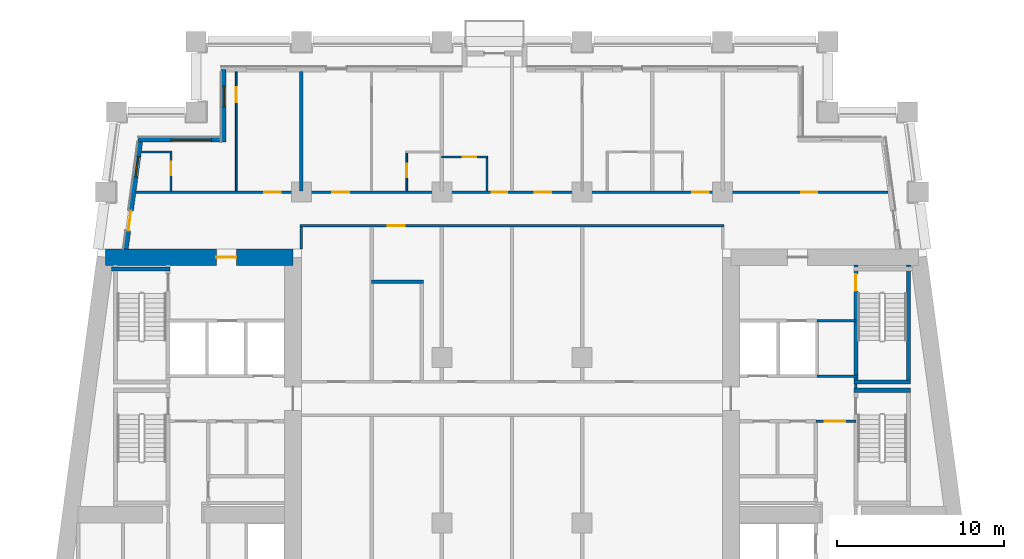
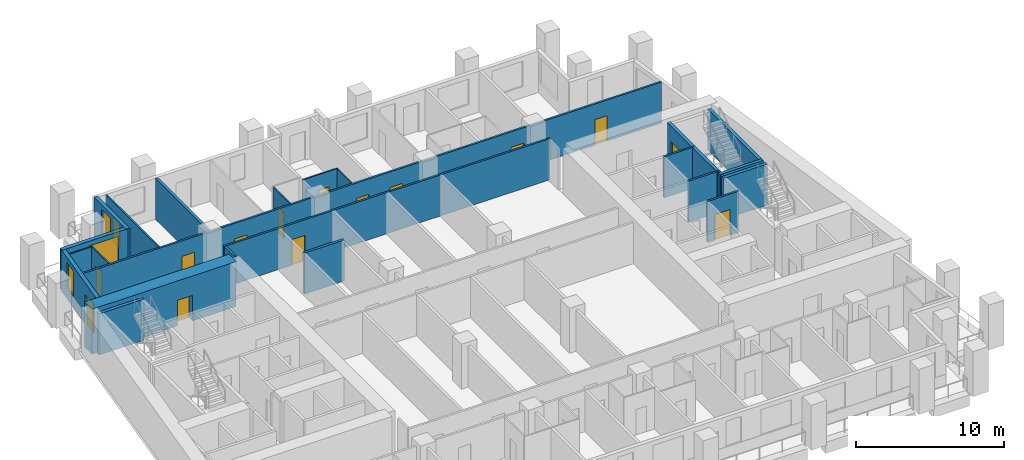
# One storey, part 6 of 13: 24 walls, 15 doors, 3 windows, 18 openings.
"""IFC4 building model written with IfcOpenShell, lengths in metres."""

from ifc_helpers import new_model, si_unit, direction, frame, frame_2d, origin, place, context, subcontext, project, spatial, rectangle, extrude, material, layer, layer_set, type_object, element, fill, save


model = new_model("IFC4")

# Units and contexts
model_context = context("Model", 3, precision=1e-05, world=origin(), true_north=direction((0.0, 1.0)))
body_context = subcontext(model_context, "Body", "Model", "MODEL_VIEW")
ifc_project = project(units=[si_unit("LENGTHUNIT", "METRE"), si_unit("AREAUNIT", "SQUARE_METRE"), si_unit("VOLUMEUNIT", "CUBIC_METRE"), si_unit("PLANEANGLEUNIT", "RADIAN"), si_unit("MASSUNIT", "GRAM", prefix="KILO")], contexts=[model_context])

# Site, building, storey
site_placement = place(None, origin())
site = spatial("IfcSite", under=ifc_project, at=site_placement, CompositionType="ELEMENT")
building_placement = place(site_placement, origin())
building = spatial("IfcBuilding", under=site, at=building_placement, Name="Candeia Pilgrim Tower and Theatre", CompositionType="ELEMENT")
storey_placement = place(building_placement, frame((0.0, 0.0, 91.0)))
storey = spatial("IfcBuildingStorey", under=building, at=storey_placement, Name="L20", CompositionType="ELEMENT", Elevation=91.0)

# Wall, opening, door
ifc_material_1 = material(Name="Concrete C70/85", Category="concrete")
ifc_layer_1 = layer(ifc_material_1, 1.0)
ifc_layer_set_1 = layer_set([ifc_layer_1], Name="Core wall 1000 C70/85")
wall_type_1 = type_object("IfcWallType", Name="Core wall 1000 C70/85", PredefinedType="SHEAR", material=ifc_layer_set_1)
wall_1_placement = place(storey_placement, frame((89.06787109375, 131.89990234375, 0.0), z_axis=(0.0, 0.0, 1.0), x_axis=(1.0, 0.0, 0.0)))
wall_1 = element("IfcWall", 1, at=wall_1_placement, inside=storey, type_object=wall_type_1, Name="Core wall W1", PredefinedType="SHEAR", context=body_context, shape_type="SweptSolid", body=[
    extrude(rectangle(XDim=11.232177734375, YDim=1.0, at=frame_2d((5.6162109375, 0.0))), origin(), (0.0, 0.0, 1.0), 3.699951171875),
])
opening_1_placement = place(wall_1_placement, frame((6.6455078125, 0.0, 0.0)))
opening_1 = element("IfcOpeningElement", 2, at=opening_1_placement, cuts=wall_1, Name="Opening L20-D060", PredefinedType="OPENING", context=body_context, shape_type="SweptSolid", body=[
    extrude(rectangle(XDim=1.199951171875, YDim=2.10009765625, at=frame_2d((0.60009765625, 1.050048828125))), frame((0.0, 0.510009765625, 0.0), z_axis=(0.0, -1.0, 0.0), x_axis=(1.0, 0.0, 0.0)), (0.0, 0.0, 1.0), 1.02001953125),
])
ifc_material_2 = material(Name="Steel fire door set", Category="steel")
door_type_1 = type_object("IfcDoorType", Name="D-1200-FD60", OperationType="NOTDEFINED", PredefinedType="DOOR", material=ifc_material_2)
door_1_placement = place(opening_1_placement, origin())
door_1 = element("IfcDoor", 3, at=door_1_placement, inside=storey, type_object=door_type_1, Name="Door L20-D060", OperationType="SINGLE_SWING_RIGHT", OverallHeight=2.10009765625, OverallWidth=1.199951171875, PredefinedType="DOOR", context=body_context, shape_type="SweptSolid", body=[
    extrude(rectangle(XDim=1.199951171875, YDim=2.10009765625, at=frame_2d((0.60009765625, 1.050048828125))), frame((0.0, 0.02490234375, 0.0), z_axis=(0.0, -1.0, 0.0), x_axis=(1.0, 0.0, 0.0)), (0.0, 0.0, 1.0), 0.050048828125),
])
fill(opening_1, door_1)

# Wall, opening, window
ifc_material_3 = material(Name="Ceramic block masonry", Category="masonry")
ifc_layer_2 = layer(ifc_material_3, 0.300048828125)
ifc_layer_set_2 = layer_set([ifc_layer_2], Name="EW1 glazing-line wall 300")
wall_type_2 = type_object("IfcWallType", Name="EW1 glazing-line wall 300", PredefinedType="SOLIDWALL", material=ifc_layer_set_2)
wall_2_placement = place(storey_placement, frame((96.14990234375, 143.14990234375, 0.0), z_axis=(0.0, 0.0, 1.0), x_axis=(0.0, -1.0, 0.0)))
wall_2 = element("IfcWall", 4, at=wall_2_placement, inside=storey, type_object=wall_type_2, Name="External wall L20-7.0", PredefinedType="SOLIDWALL", context=body_context, shape_type="SweptSolid", body=[
    extrude(rectangle(XDim=4.349853515625, YDim=0.300048828125, at=frame_2d((2.1748046875, 0.0))), origin(), (0.0, 0.0, 1.0), 3.3798828125),
])
opening_2_placement = place(wall_2_placement, frame((1.02490234375, 0.0, 0.89990234375)))
opening_2 = element("IfcOpeningElement", 5, at=opening_2_placement, cuts=wall_2, Name="Opening W-B", PredefinedType="OPENING", context=body_context, shape_type="SweptSolid", body=[
    extrude(rectangle(XDim=1.199951171875, YDim=2.10009765625, at=frame_2d((0.60009765625, 1.050048828125))), frame((0.0, 0.16015625, 0.0), z_axis=(0.0, -1.0, 0.0), x_axis=(1.0, 0.0, 0.0)), (0.0, 0.0, 1.0), 0.320068359375),
])
ifc_material_4 = material(Name="Aluminium framed double glazing", Category="aluminium")
window_type_1 = type_object("IfcWindowType", Name="W-B window 1200x2100", PartitioningType="SINGLE_PANEL", PredefinedType="WINDOW", material=ifc_material_4)
window_1_placement = place(opening_2_placement, origin())
window_1 = element("IfcWindow", 6, at=window_1_placement, inside=storey, type_object=window_type_1, Name="Window W-B L20", OverallHeight=2.10009765625, OverallWidth=1.199951171875, PartitioningType="SINGLE_PANEL", PredefinedType="WINDOW", context=body_context, shape_type="SweptSolid", body=[
    extrude(rectangle(XDim=1.199951171875, YDim=2.10009765625, at=frame_2d((0.60009765625, 1.050048828125))), frame((0.0, 0.030029296875, 0.0), z_axis=(0.0, -1.0, 0.0), x_axis=(1.0, 0.0, 0.0)), (0.0, 0.0, 1.0), 0.06005859375),
])
fill(opening_2, window_1)

wall_3_placement = place(storey_placement, frame((96.14990234375, 138.949951171875, 0.0), z_axis=(0.0, 0.0, 1.0), x_axis=(-1.0, 0.0, 0.0)))
wall_3 = element("IfcWall", 7, at=wall_3_placement, inside=storey, type_object=wall_type_2, Name="External wall L20-8.0", PredefinedType="SOLIDWALL", context=body_context, shape_type="SweptSolid", body=[
    extrude(rectangle(XDim=5.103759765625, YDim=0.300048828125, at=frame_2d((2.5517578125, 0.0))), origin(), (0.0, 0.0, 1.0), 3.3798828125),
])
opening_3_placement = place(wall_3_placement, frame((0.72509765625, 0.0, 0.89990234375)))
opening_3 = element("IfcOpeningElement", 8, at=opening_3_placement, cuts=wall_3, Name="Opening W-A", PredefinedType="OPENING", context=body_context, shape_type="SweptSolid", body=[
    extrude(rectangle(XDim=2.39990234375, YDim=2.10009765625, at=frame_2d((1.199951171875, 1.050048828125))), frame((0.0, 0.16015625, 0.0), z_axis=(0.0, -1.0, 0.0), x_axis=(1.0, 0.0, 0.0)), (0.0, 0.0, 1.0), 0.320068359375),
])
window_type_2 = type_object("IfcWindowType", Name="W-A window 2400x2100", PartitioningType="DOUBLE_PANEL_VERTICAL", PredefinedType="WINDOW", material=ifc_material_4)
window_2_placement = place(opening_3_placement, origin())
window_2 = element("IfcWindow", 9, at=window_2_placement, inside=storey, type_object=window_type_2, Name="Window W-A L20", OverallHeight=2.10009765625, OverallWidth=2.39990234375, PartitioningType="SINGLE_PANEL", PredefinedType="WINDOW", context=body_context, shape_type="SweptSolid", body=[
    extrude(rectangle(XDim=2.39990234375, YDim=2.10009765625, at=frame_2d((1.199951171875, 1.050048828125))), frame((0.0, 0.030029296875, 0.0), z_axis=(0.0, -1.0, 0.0), x_axis=(1.0, 0.0, 0.0)), (0.0, 0.0, 1.0), 0.06005859375),
])
fill(opening_3, window_2)

# Wall, openings, door, window
wall_4_placement = place(storey_placement, frame((91.177490234375, 138.949951171875, 0.0), z_axis=(0.0, 0.0, 1.0), x_axis=(-0.133426664613, -0.991058689065, 0.0)))
wall_4 = element("IfcWall", 10, at=wall_4_placement, inside=storey, type_object=wall_type_2, Name="External wall L20-9.0", PredefinedType="SOLIDWALL", context=body_context, shape_type="SweptSolid", body=[
    extrude(rectangle(XDim=6.609130859375, YDim=0.300048828125, at=frame_2d((3.3046875, 0.0))), origin(), (0.0, 0.0, 1.0), 3.3798828125),
])
opening_4_placement = place(wall_4_placement, frame((1.039306640625, 0.0, 0.89990234375)))
opening_4 = element("IfcOpeningElement", 11, at=opening_4_placement, cuts=wall_4, Name="Opening W-B", PredefinedType="OPENING", context=body_context, shape_type="SweptSolid", body=[
    extrude(rectangle(XDim=1.199951171875, YDim=2.10009765625, at=frame_2d((0.60009765625, 1.050048828125))), frame((0.0, 0.16015625, 0.0), z_axis=(0.0, -1.0, 0.0), x_axis=(1.0, 0.0, 0.0)), (0.0, 0.0, 1.0), 0.320068359375),
])
opening_5_placement = place(wall_4_placement, frame((4.293701171875, 0.0, 0.0)))
opening_5 = element("IfcOpeningElement", 12, at=opening_5_placement, cuts=wall_4, Name="Opening L20-ED212", PredefinedType="OPENING", context=body_context, shape_type="SweptSolid", body=[
    extrude(rectangle(XDim=1.199951171875, YDim=2.39990234375, at=frame_2d((0.60009765625, 1.199951171875))), frame((0.0, 0.16015625, 0.0), z_axis=(0.0, -1.0, 0.0), x_axis=(1.0, 0.0, 0.0)), (0.0, 0.0, 1.0), 0.320068359375),
])
ifc_material_5 = material(Name="Aluminium framed glazed door", Category="aluminium")
door_type_2 = type_object("IfcDoorType", Name="Loggia door 1200x2400", OperationType="DOUBLE_DOOR_SINGLE_SWING", PredefinedType="DOOR", material=ifc_material_5)
door_2_placement = place(opening_5_placement, origin())
door_2 = element("IfcDoor", 13, at=door_2_placement, inside=storey, type_object=door_type_2, Name="Loggia door L20-ED212", OperationType="DOUBLE_DOOR_SINGLE_SWING", OverallHeight=2.39990234375, OverallWidth=1.199951171875, PredefinedType="DOOR", context=body_context, shape_type="SweptSolid", body=[
    extrude(rectangle(XDim=1.199951171875, YDim=2.39990234375, at=frame_2d((0.60009765625, 1.199951171875))), frame((0.0, 0.02490234375, 0.0), z_axis=(0.0, -1.0, 0.0), x_axis=(1.0, 0.0, 0.0)), (0.0, 0.0, 1.0), 0.050048828125),
])
fill(opening_5, door_2)
window_3_placement = place(opening_4_placement, origin())
window_3 = element("IfcWindow", 14, at=window_3_placement, inside=storey, type_object=window_type_1, Name="Window W-B L20", OverallHeight=2.10009765625, OverallWidth=1.199951171875, PartitioningType="SINGLE_PANEL", PredefinedType="WINDOW", context=body_context, shape_type="SweptSolid", body=[
    extrude(rectangle(XDim=1.199951171875, YDim=2.10009765625, at=frame_2d((0.60009765625, 1.050048828125))), frame((0.0, 0.030029296875, 0.0), z_axis=(0.0, -1.0, 0.0), x_axis=(1.0, 0.0, 0.0)), (0.0, 0.0, 1.0), 0.06005859375),
])
fill(opening_4, window_3)

# Wall, opening, door
ifc_material_6 = material(Name="Gypsum board partition on steel studs", Category="steel")
ifc_layer_3 = layer(ifc_material_6, 0.10009765625)
ifc_layer_set_3 = layer_set([ifc_layer_3], Name="PW-100 room partition")
wall_type_3 = type_object("IfcWallType", Name="PW-100 room partition", PredefinedType="PARTITIONING", material=ifc_layer_set_3)
wall_5_placement = place(storey_placement, frame((109.199951171875, 137.89990234375, 0.0), z_axis=(0.0, 0.0, 1.0), x_axis=(1.0, 0.0, 0.0)))
wall_5 = element("IfcWall", 15, at=wall_5_placement, inside=storey, type_object=wall_type_3, Name="Room partition L20-045", PredefinedType="PARTITIONING", context=body_context, shape_type="SweptSolid", body=[
    extrude(rectangle(XDim=2.75, YDim=0.10009765625, at=frame_2d((1.375, 0.0))), origin(), (0.0, 0.0, 1.0), 3.3798828125),
])
opening_6_placement = place(wall_5_placement, frame((1.25, 0.0, 0.0)))
opening_6 = element("IfcOpeningElement", 16, at=opening_6_placement, cuts=wall_5, Name="Opening L20-D041", PredefinedType="OPENING", context=body_context, shape_type="SweptSolid", body=[
    extrude(rectangle(XDim=0.800048828125, YDim=2.10009765625, at=frame_2d((0.39990234375, 1.050048828125))), frame((0.0, 0.06005859375, 0.0), z_axis=(0.0, -1.0, 0.0), x_axis=(1.0, 0.0, 0.0)), (0.0, 0.0, 1.0), 0.1201171875),
])
ifc_material_7 = material(Name="Timber door leaf", Category="wood")
door_type_3 = type_object("IfcDoorType", Name="D-800", OperationType="NOTDEFINED", PredefinedType="DOOR", material=ifc_material_7)
door_3_placement = place(opening_6_placement, origin())
door_3 = element("IfcDoor", 17, at=door_3_placement, inside=storey, type_object=door_type_3, Name="Door L20-D041", OperationType="SINGLE_SWING_LEFT", OverallHeight=2.10009765625, OverallWidth=0.800048828125, PredefinedType="DOOR", context=body_context, shape_type="SweptSolid", body=[
    extrude(rectangle(XDim=0.800048828125, YDim=2.10009765625, at=frame_2d((0.39990234375, 1.050048828125))), frame((0.0, 0.02490234375, 0.0), z_axis=(0.0, -1.0, 0.0), x_axis=(1.0, 0.0, 0.0)), (0.0, 0.0, 1.0), 0.050048828125),
])
fill(opening_6, door_3)

# Wall
wall_6_placement = place(storey_placement, frame((91.2177734375, 138.199951171875, 0.0), z_axis=(0.0, 0.0, 1.0), x_axis=(1.0, 0.0, 0.0)))
element("IfcWall", 18, at=wall_6_placement, inside=storey, type_object=wall_type_3, Name="Room partition L20-046", PredefinedType="PARTITIONING", context=body_context, shape_type="SweptSolid", body=[
    extrude(rectangle(XDim=1.832275390625, YDim=0.10009765625, at=frame_2d((0.916015625, 0.0))), origin(), (0.0, 0.0, 1.0), 3.3798828125),
])

# Wall, opening, door
wall_7_placement = place(storey_placement, frame((93.0, 135.875, 0.0), z_axis=(0.0, 0.0, 1.0), x_axis=(0.0, 1.0, 0.0)))
wall_7 = element("IfcWall", 19, at=wall_7_placement, inside=storey, type_object=wall_type_3, Name="Room partition L20-061", PredefinedType="PARTITIONING", context=body_context, shape_type="SweptSolid", body=[
    extrude(rectangle(XDim=2.27490234375, YDim=0.10009765625, at=frame_2d((1.137451171875, 0.0))), origin(), (0.0, 0.0, 1.0), 3.3798828125),
])
opening_7_placement = place(wall_7_placement, frame((0.949951171875, 0.0, 0.0)))
opening_7 = element("IfcOpeningElement", 20, at=opening_7_placement, cuts=wall_7, Name="Opening L20-D036", PredefinedType="OPENING", context=body_context, shape_type="SweptSolid", body=[
    extrude(rectangle(XDim=0.800048828125, YDim=2.10009765625, at=frame_2d((0.39990234375, 1.050048828125))), frame((0.0, 0.06005859375, 0.0), z_axis=(0.0, -1.0, 0.0), x_axis=(1.0, 0.0, 0.0)), (0.0, 0.0, 1.0), 0.1201171875),
])
door_4_placement = place(opening_7_placement, origin())
door_4 = element("IfcDoor", 21, at=door_4_placement, inside=storey, type_object=door_type_3, Name="Door L20-D036", OperationType="SINGLE_SWING_RIGHT", OverallHeight=2.10009765625, OverallWidth=0.800048828125, PredefinedType="DOOR", context=body_context, shape_type="SweptSolid", body=[
    extrude(rectangle(XDim=0.800048828125, YDim=2.10009765625, at=frame_2d((0.39990234375, 1.050048828125))), frame((0.0, 0.02490234375, 0.0), z_axis=(0.0, -1.0, 0.0), x_axis=(1.0, 0.0, 0.0)), (0.0, 0.0, 1.0), 0.050048828125),
])
fill(opening_7, door_4)

wall_8_placement = place(storey_placement, frame((96.89990234375, 135.875, 0.0), z_axis=(0.0, 0.0, 1.0), x_axis=(0.0, 1.0, 0.0)))
wall_8 = element("IfcWall", 22, at=wall_8_placement, inside=storey, type_object=wall_type_3, Name="Room partition L20-067", PredefinedType="PARTITIONING", context=body_context, shape_type="SweptSolid", body=[
    extrude(rectangle(XDim=7.135009765625, YDim=0.10009765625, at=frame_2d((3.5673828125, 0.0))), origin(), (0.0, 0.0, 1.0), 3.3798828125),
])
opening_8_placement = place(wall_8_placement, frame((5.2900390625, 0.0, 0.0)))
opening_8 = element("IfcOpeningElement", 23, at=opening_8_placement, cuts=wall_8, Name="Opening L20-D035", PredefinedType="OPENING", context=body_context, shape_type="SweptSolid", body=[
    extrude(rectangle(XDim=0.89990234375, YDim=2.10009765625, at=frame_2d((0.449951171875, 1.050048828125))), frame((0.0, 0.06005859375, 0.0), z_axis=(0.0, -1.0, 0.0), x_axis=(1.0, 0.0, 0.0)), (0.0, 0.0, 1.0), 0.1201171875),
])
door_type_4 = type_object("IfcDoorType", Name="D-900", OperationType="NOTDEFINED", PredefinedType="DOOR", material=ifc_material_7)
door_5_placement = place(opening_8_placement, origin())
door_5 = element("IfcDoor", 24, at=door_5_placement, inside=storey, type_object=door_type_4, Name="Door L20-D035", OperationType="SINGLE_SWING_LEFT", OverallHeight=2.10009765625, OverallWidth=0.89990234375, PredefinedType="DOOR", context=body_context, shape_type="SweptSolid", body=[
    extrude(rectangle(XDim=0.89990234375, YDim=2.10009765625, at=frame_2d((0.449951171875, 1.050048828125))), frame((0.0, 0.02490234375, 0.0), z_axis=(0.0, -1.0, 0.0), x_axis=(1.0, 0.0, 0.0)), (0.0, 0.0, 1.0), 0.050048828125),
])
fill(opening_8, door_5)

wall_9_placement = place(storey_placement, frame((107.10009765625, 135.875, 0.0), z_axis=(0.0, 0.0, 1.0), x_axis=(0.0, 1.0, 0.0)))
wall_9 = element("IfcWall", 25, at=wall_9_placement, inside=storey, type_object=wall_type_3, Name="Room partition L20-080", PredefinedType="PARTITIONING", context=body_context, shape_type="SweptSolid", body=[
    extrude(rectangle(XDim=2.27490234375, YDim=0.10009765625, at=frame_2d((1.137451171875, 0.0))), origin(), (0.0, 0.0, 1.0), 3.3798828125),
])
opening_9_placement = place(wall_9_placement, frame((0.81494140625, 0.0, 0.0)))
opening_9 = element("IfcOpeningElement", 26, at=opening_9_placement, cuts=wall_9, Name="Opening L20-D039", PredefinedType="OPENING", context=body_context, shape_type="SweptSolid", body=[
    extrude(rectangle(XDim=0.800048828125, YDim=2.10009765625, at=frame_2d((0.39990234375, 1.050048828125))), frame((0.0, 0.06005859375, 0.0), z_axis=(0.0, -1.0, 0.0), x_axis=(1.0, 0.0, 0.0)), (0.0, 0.0, 1.0), 0.1201171875),
])
door_6_placement = place(opening_9_placement, origin())
door_6 = element("IfcDoor", 27, at=door_6_placement, inside=storey, type_object=door_type_3, Name="Door L20-D039", OperationType="SINGLE_SWING_LEFT", OverallHeight=2.10009765625, OverallWidth=0.800048828125, PredefinedType="DOOR", context=body_context, shape_type="SweptSolid", body=[
    extrude(rectangle(XDim=0.800048828125, YDim=2.10009765625, at=frame_2d((0.39990234375, 1.050048828125))), frame((0.0, 0.02490234375, 0.0), z_axis=(0.0, -1.0, 0.0), x_axis=(1.0, 0.0, 0.0)), (0.0, 0.0, 1.0), 0.050048828125),
])
fill(opening_9, door_6)

# Wall
wall_10_placement = place(storey_placement, frame((111.89990234375, 135.875, 0.0), z_axis=(0.0, 0.0, 1.0), x_axis=(0.0, 1.0, 0.0)))
element("IfcWall", 28, at=wall_10_placement, inside=storey, type_object=wall_type_3, Name="Room partition L20-087", PredefinedType="PARTITIONING", context=body_context, shape_type="SweptSolid", body=[
    extrude(rectangle(XDim=1.97509765625, YDim=0.10009765625, at=frame_2d((0.987548828125, 0.0))), origin(), (0.0, 0.0, 1.0), 3.3798828125),
])

# Wall, opening, door
ifc_layer_4 = layer(ifc_material_6, 0.14990234375)
ifc_layer_set_4 = layer_set([ifc_layer_4], Name="PW-150 lobby wall")
wall_type_4 = type_object("IfcWallType", Name="PW-150 lobby wall", PredefinedType="PARTITIONING", material=ifc_layer_set_4)
wall_11_placement = place(storey_placement, frame((131.572998046875, 122.10009765625, 0.0), z_axis=(0.0, 0.0, 1.0), x_axis=(1.0, 0.0, 0.0)))
wall_11 = element("IfcWall", 29, at=wall_11_placement, inside=storey, type_object=wall_type_4, Name="Lobby wall L20-027", PredefinedType="PARTITIONING", context=body_context, shape_type="SweptSolid", body=[
    extrude(rectangle(XDim=2.39990234375, YDim=0.14990234375, at=frame_2d((1.199951171875, 0.0))), origin(), (0.0, 0.0, 1.0), 3.3798828125),
])
opening_10_placement = place(wall_11_placement, frame((0.550048828125, 0.0, 0.0)))
opening_10 = element("IfcOpeningElement", 30, at=opening_10_placement, cuts=wall_11, Name="Opening L20-D007", PredefinedType="OPENING", context=body_context, shape_type="SweptSolid", body=[
    extrude(rectangle(XDim=1.199951171875, YDim=2.10009765625, at=frame_2d((0.60009765625, 1.050048828125))), frame((0.0, 0.0849609375, 0.0), z_axis=(0.0, -1.0, 0.0), x_axis=(1.0, 0.0, 0.0)), (0.0, 0.0, 1.0), 0.169921875),
])
door_7_placement = place(opening_10_placement, origin())
door_7 = element("IfcDoor", 31, at=door_7_placement, inside=storey, type_object=door_type_1, Name="Door L20-D007", OperationType="SINGLE_SWING_RIGHT", OverallHeight=2.10009765625, OverallWidth=1.199951171875, PredefinedType="DOOR", context=body_context, shape_type="SweptSolid", body=[
    extrude(rectangle(XDim=1.199951171875, YDim=2.10009765625, at=frame_2d((0.60009765625, 1.050048828125))), frame((0.0, 0.02490234375, 0.0), z_axis=(0.0, -1.0, 0.0), x_axis=(1.0, 0.0, 0.0)), (0.0, 0.0, 1.0), 0.050048828125),
])
fill(opening_10, door_7)

# Walls
wall_12_placement = place(storey_placement, frame((131.648681640625, 124.800048828125, 0.0), z_axis=(0.0, 0.0, 1.0), x_axis=(1.0, 0.0, 0.0)))
element("IfcWall", 32, at=wall_12_placement, inside=storey, type_object=wall_type_4, Name="Lobby wall L20-036", PredefinedType="PARTITIONING", context=body_context, shape_type="SweptSolid", body=[
    extrude(rectangle(XDim=2.44921875, YDim=0.14990234375, at=frame_2d((1.224609375, 0.0))), origin(), (0.0, 0.0, 1.0), 3.3798828125),
])
wall_13_placement = place(storey_placement, frame((131.648681640625, 128.10009765625, 0.0), z_axis=(0.0, 0.0, 1.0), x_axis=(1.0, 0.0, 0.0)))
element("IfcWall", 33, at=wall_13_placement, inside=storey, type_object=wall_type_4, Name="Lobby wall L20-039", PredefinedType="PARTITIONING", context=body_context, shape_type="SweptSolid", body=[
    extrude(rectangle(XDim=2.32421875, YDim=0.14990234375, at=frame_2d((1.162109375, 0.0))), origin(), (0.0, 0.0, 1.0), 3.3798828125),
])
wall_14_placement = place(storey_placement, frame((133.972900390625, 124.074951171875, 0.0), z_axis=(0.0, 0.0, 1.0), x_axis=(0.0, 1.0, 0.0)))
element("IfcWall", 34, at=wall_14_placement, inside=storey, type_object=wall_type_4, Name="Lobby wall L20-119", PredefinedType="PARTITIONING", context=body_context, shape_type="SweptSolid", body=[
    extrude(rectangle(XDim=0.25, YDim=0.14990234375, at=frame_2d((0.125, 0.0))), origin(), (0.0, 0.0, 1.0), 3.3798828125),
])

# Wall, opening, door
ifc_layer_5 = layer(ifc_material_6, 0.14990234375)
ifc_layer_set_5 = layer_set([ifc_layer_5], Name="PW-150 unit wall")
wall_type_5 = type_object("IfcWallType", Name="PW-150 unit wall", PredefinedType="PARTITIONING", material=ifc_layer_set_5)
wall_15_placement = place(storey_placement, frame((100.72509765625, 133.800048828125, 0.0), z_axis=(0.0, 0.0, 1.0), x_axis=(1.0, 0.0, 0.0)))
wall_15 = element("IfcWall", 35, at=wall_15_placement, inside=storey, type_object=wall_type_5, Name="Unit wall L20-043", PredefinedType="PARTITIONING", context=body_context, shape_type="SweptSolid", body=[
    extrude(rectangle(XDim=25.349853515625, YDim=0.14990234375, at=frame_2d((12.6748046875, 0.0))), origin(), (0.0, 0.0, 1.0), 3.3798828125),
])
opening_11_placement = place(wall_15_placement, frame((5.25, 0.0, 0.0)))
opening_11 = element("IfcOpeningElement", 36, at=opening_11_placement, cuts=wall_15, Name="Opening L20-D048", PredefinedType="OPENING", context=body_context, shape_type="SweptSolid", body=[
    extrude(rectangle(XDim=1.0, YDim=2.10009765625, at=frame_2d((0.5, 1.050048828125))), frame((0.0, 0.0849609375, 0.0), z_axis=(0.0, -1.0, 0.0), x_axis=(1.0, 0.0, 0.0)), (0.0, 0.0, 1.0), 0.169921875),
])
door_type_5 = type_object("IfcDoorType", Name="D-1000-FD30S", OperationType="NOTDEFINED", PredefinedType="DOOR", material=ifc_material_2)
door_8_placement = place(opening_11_placement, origin())
door_8 = element("IfcDoor", 37, at=door_8_placement, inside=storey, type_object=door_type_5, Name="Door L20-D048", OperationType="SINGLE_SWING_RIGHT", OverallHeight=2.10009765625, OverallWidth=1.0, PredefinedType="DOOR", context=body_context, shape_type="SweptSolid", body=[
    extrude(rectangle(XDim=1.0, YDim=2.10009765625, at=frame_2d((0.5, 1.050048828125))), frame((0.0, 0.02490234375, 0.0), z_axis=(0.0, -1.0, 0.0), x_axis=(1.0, 0.0, 0.0)), (0.0, 0.0, 1.0), 0.050048828125),
])
fill(opening_11, door_8)

# Wall, openings, doors
wall_16_placement = place(storey_placement, frame((90.89453125, 135.800048828125, 0.0), z_axis=(0.0, 0.0, 1.0), x_axis=(1.0, 0.0, 0.0)))
wall_16 = element("IfcWall", 38, at=wall_16_placement, inside=storey, type_object=wall_type_5, Name="Unit wall L20-044", PredefinedType="PARTITIONING", context=body_context, shape_type="SweptSolid", body=[
    extrude(rectangle(XDim=45.010986328125, YDim=0.14990234375, at=frame_2d((22.50537109375, 0.0))), origin(), (0.0, 0.0, 1.0), 3.3798828125),
])
opening_12_placement = place(wall_16_placement, frame((7.67529296875, 0.0, 0.0)))
opening_12 = element("IfcOpeningElement", 39, at=opening_12_placement, cuts=wall_16, Name="Opening L20-D034", PredefinedType="OPENING", context=body_context, shape_type="SweptSolid", body=[
    extrude(rectangle(XDim=1.0, YDim=2.10009765625, at=frame_2d((0.5, 1.050048828125))), frame((0.0, 0.0849609375, 0.0), z_axis=(0.0, -1.0, 0.0), x_axis=(1.0, 0.0, 0.0)), (0.0, 0.0, 1.0), 0.169921875),
])
opening_13_placement = place(wall_16_placement, frame((11.75537109375, 0.0, 0.0)))
opening_13 = element("IfcOpeningElement", 40, at=opening_13_placement, cuts=wall_16, Name="Opening L20-D037", PredefinedType="OPENING", context=body_context, shape_type="SweptSolid", body=[
    extrude(rectangle(XDim=1.0, YDim=2.10009765625, at=frame_2d((0.5, 1.050048828125))), frame((0.0, 0.0849609375, 0.0), z_axis=(0.0, -1.0, 0.0), x_axis=(1.0, 0.0, 0.0)), (0.0, 0.0, 1.0), 0.169921875),
])
opening_14_placement = place(wall_16_placement, frame((21.280517578125, 0.0, 0.0)))
opening_14 = element("IfcOpeningElement", 41, at=opening_14_placement, cuts=wall_16, Name="Opening L20-D040", PredefinedType="OPENING", context=body_context, shape_type="SweptSolid", body=[
    extrude(rectangle(XDim=0.949951171875, YDim=2.10009765625, at=frame_2d((0.47509765625, 1.050048828125))), frame((0.0, 0.0849609375, 0.0), z_axis=(0.0, -1.0, 0.0), x_axis=(1.0, 0.0, 0.0)), (0.0, 0.0, 1.0), 0.169921875),
])
opening_15_placement = place(wall_16_placement, frame((23.85546875, 0.0, 0.0)))
opening_15 = element("IfcOpeningElement", 42, at=opening_15_placement, cuts=wall_16, Name="Opening L20-D042", PredefinedType="OPENING", context=body_context, shape_type="SweptSolid", body=[
    extrude(rectangle(XDim=1.0, YDim=2.10009765625, at=frame_2d((0.5, 1.050048828125))), frame((0.0, 0.0849609375, 0.0), z_axis=(0.0, -1.0, 0.0), x_axis=(1.0, 0.0, 0.0)), (0.0, 0.0, 1.0), 0.169921875),
])
opening_16_placement = place(wall_16_placement, frame((33.285400390625, 0.0, 0.0)))
opening_16 = element("IfcOpeningElement", 43, at=opening_16_placement, cuts=wall_16, Name="Opening L20-D045", PredefinedType="OPENING", context=body_context, shape_type="SweptSolid", body=[
    extrude(rectangle(XDim=1.0, YDim=2.10009765625, at=frame_2d((0.5, 1.050048828125))), frame((0.0, 0.0849609375, 0.0), z_axis=(0.0, -1.0, 0.0), x_axis=(1.0, 0.0, 0.0)), (0.0, 0.0, 1.0), 0.169921875),
])
opening_17_placement = place(wall_16_placement, frame((39.814453125, 0.0, 0.0)))
opening_17 = element("IfcOpeningElement", 44, at=opening_17_placement, cuts=wall_16, Name="Opening L20-D047", PredefinedType="OPENING", context=body_context, shape_type="SweptSolid", body=[
    extrude(rectangle(XDim=0.949951171875, YDim=2.10009765625, at=frame_2d((0.47509765625, 1.050048828125))), frame((0.0, 0.0849609375, 0.0), z_axis=(0.0, -1.0, 0.0), x_axis=(1.0, 0.0, 0.0)), (0.0, 0.0, 1.0), 0.169921875),
])
door_9_placement = place(opening_12_placement, origin())
door_9 = element("IfcDoor", 45, at=door_9_placement, inside=storey, type_object=door_type_5, Name="Door L20-D034", OperationType="SINGLE_SWING_RIGHT", OverallHeight=2.10009765625, OverallWidth=1.0, PredefinedType="DOOR", context=body_context, shape_type="SweptSolid", body=[
    extrude(rectangle(XDim=1.0, YDim=2.10009765625, at=frame_2d((0.5, 1.050048828125))), frame((0.0, 0.02490234375, 0.0), z_axis=(0.0, -1.0, 0.0), x_axis=(1.0, 0.0, 0.0)), (0.0, 0.0, 1.0), 0.050048828125),
])
fill(opening_12, door_9)
door_10_placement = place(opening_13_placement, origin())
door_10 = element("IfcDoor", 46, at=door_10_placement, inside=storey, type_object=door_type_5, Name="Door L20-D037", OperationType="SINGLE_SWING_LEFT", OverallHeight=2.10009765625, OverallWidth=1.0, PredefinedType="DOOR", context=body_context, shape_type="SweptSolid", body=[
    extrude(rectangle(XDim=1.0, YDim=2.10009765625, at=frame_2d((0.5, 1.050048828125))), frame((0.0, 0.02490234375, 0.0), z_axis=(0.0, -1.0, 0.0), x_axis=(1.0, 0.0, 0.0)), (0.0, 0.0, 1.0), 0.050048828125),
])
fill(opening_13, door_10)
door_11_placement = place(opening_15_placement, origin())
door_11 = element("IfcDoor", 47, at=door_11_placement, inside=storey, type_object=door_type_5, Name="Door L20-D042", OperationType="SINGLE_SWING_RIGHT", OverallHeight=2.10009765625, OverallWidth=1.0, PredefinedType="DOOR", context=body_context, shape_type="SweptSolid", body=[
    extrude(rectangle(XDim=1.0, YDim=2.10009765625, at=frame_2d((0.5, 1.050048828125))), frame((0.0, 0.02490234375, 0.0), z_axis=(0.0, -1.0, 0.0), x_axis=(1.0, 0.0, 0.0)), (0.0, 0.0, 1.0), 0.050048828125),
])
fill(opening_15, door_11)
door_12_placement = place(opening_16_placement, origin())
door_12 = element("IfcDoor", 48, at=door_12_placement, inside=storey, type_object=door_type_5, Name="Door L20-D045", OperationType="SINGLE_SWING_LEFT", OverallHeight=2.10009765625, OverallWidth=1.0, PredefinedType="DOOR", context=body_context, shape_type="SweptSolid", body=[
    extrude(rectangle(XDim=1.0, YDim=2.10009765625, at=frame_2d((0.5, 1.050048828125))), frame((0.0, 0.02490234375, 0.0), z_axis=(0.0, -1.0, 0.0), x_axis=(1.0, 0.0, 0.0)), (0.0, 0.0, 1.0), 0.050048828125),
])
fill(opening_16, door_12)
door_type_6 = type_object("IfcDoorType", Name="D-950-FD30S", OperationType="NOTDEFINED", PredefinedType="DOOR", material=ifc_material_2)
door_13_placement = place(opening_14_placement, origin())
door_13 = element("IfcDoor", 49, at=door_13_placement, inside=storey, type_object=door_type_6, Name="Door L20-D040", OperationType="SINGLE_SWING_RIGHT", OverallHeight=2.10009765625, OverallWidth=0.949951171875, PredefinedType="DOOR", context=body_context, shape_type="SweptSolid", body=[
    extrude(rectangle(XDim=0.949951171875, YDim=2.10009765625, at=frame_2d((0.47509765625, 1.050048828125))), frame((0.0, 0.02490234375, 0.0), z_axis=(0.0, -1.0, 0.0), x_axis=(1.0, 0.0, 0.0)), (0.0, 0.0, 1.0), 0.050048828125),
])
fill(opening_14, door_13)
door_14_placement = place(opening_17_placement, origin())
door_14 = element("IfcDoor", 50, at=door_14_placement, inside=storey, type_object=door_type_6, Name="Door L20-D047", OperationType="SINGLE_SWING_LEFT", OverallHeight=2.10009765625, OverallWidth=0.949951171875, PredefinedType="DOOR", context=body_context, shape_type="SweptSolid", body=[
    extrude(rectangle(XDim=0.949951171875, YDim=2.10009765625, at=frame_2d((0.47509765625, 1.050048828125))), frame((0.0, 0.02490234375, 0.0), z_axis=(0.0, -1.0, 0.0), x_axis=(1.0, 0.0, 0.0)), (0.0, 0.0, 1.0), 0.050048828125),
])
fill(opening_17, door_14)

# Walls
wall_17_placement = place(storey_placement, frame((100.800048828125, 132.39990234375, 0.0), z_axis=(0.0, 0.0, 1.0), x_axis=(0.0, 1.0, 0.0)))
element("IfcWall", 51, at=wall_17_placement, inside=storey, type_object=wall_type_5, Name="Unit wall L20-075", PredefinedType="PARTITIONING", context=body_context, shape_type="SweptSolid", body=[
    extrude(rectangle(XDim=1.3251953125, YDim=0.14990234375, at=frame_2d((0.66259765625, 0.0))), origin(), (0.0, 0.0, 1.0), 3.3798828125),
])
ifc_layer_6 = layer(ifc_material_6, 0.199951171875)
ifc_layer_set_6 = layer_set([ifc_layer_6], Name="PW-200 party wall")
wall_type_6 = type_object("IfcWallType", Name="PW-200 party wall", PredefinedType="PARTITIONING", material=ifc_layer_set_6)
wall_18_placement = place(storey_placement, frame((105.0, 130.449951171875, 0.0), z_axis=(0.0, 0.0, 1.0), x_axis=(1.0, 0.0, 0.0)))
element("IfcWall", 52, at=wall_18_placement, inside=storey, type_object=wall_type_6, Name="Party wall L20-040", PredefinedType="PARTITIONING", context=body_context, shape_type="SweptSolid", body=[
    extrude(rectangle(XDim=3.10009765625, YDim=0.199951171875, at=frame_2d((1.550048828125, 0.0))), origin(), (0.0, 0.0, 1.0), 3.3798828125),
])
wall_19_placement = place(storey_placement, frame((100.800048828125, 135.875, 0.0), z_axis=(0.0, 0.0, 1.0), x_axis=(0.0, 1.0, 0.0)))
element("IfcWall", 53, at=wall_19_placement, inside=storey, type_object=wall_type_6, Name="Party wall L20-073", PredefinedType="PARTITIONING", context=body_context, shape_type="SweptSolid", body=[
    extrude(rectangle(XDim=7.135009765625, YDim=0.199951171875, at=frame_2d((3.5673828125, 0.0))), origin(), (0.0, 0.0, 1.0), 3.3798828125),
])
ifc_material_8 = material(Name="Concrete C40/50", Category="concrete")
ifc_layer_7 = layer(ifc_material_8, 0.25)
ifc_layer_set_7 = layer_set([ifc_layer_7], Name="SW-250 stair wall")
wall_type_7 = type_object("IfcWallType", Name="SW-250 stair wall", PredefinedType="PARTITIONING", material=ifc_layer_set_7)
for number, where, z_axis, x_axis, name in (
    (54, (133.847900390625, 123.949951171875, 0.0), (0.0, 0.0, 1.0), (1.0, 0.0, 0.0), "Stair wall L20-030"),
    (55, (133.847900390625, 124.449951171875, 0.0), (0.0, 0.0, 1.0), (1.0, 0.0, 0.0), "Stair wall L20-032"),
):
    element("IfcWall", number, at=place(storey_placement, frame(where, z_axis=z_axis, x_axis=x_axis)), inside=storey, type_object=wall_type_7, Name=name, PredefinedType="PARTITIONING", context=body_context, shape_type="SweptSolid", body=[
        extrude(rectangle(XDim=3.400146484375, YDim=0.25, at=frame_2d((1.7001953125, 0.0))), origin(), (0.0, 0.0, 1.0), 3.3798828125),
    ])
wall_20_placement = place(storey_placement, frame((89.4482421875, 131.199951171875, 0.0), z_axis=(0.0, 0.0, 1.0), x_axis=(1.0, 0.0, 0.0)))
element("IfcWall", 56, at=wall_20_placement, inside=storey, type_object=wall_type_7, Name="Stair wall L20-041", PredefinedType="PARTITIONING", context=body_context, shape_type="SweptSolid", body=[
    extrude(rectangle(XDim=3.503662109375, YDim=0.25, at=frame_2d((1.751953125, 0.0))), origin(), (0.0, 0.0, 1.0), 3.3798828125),
])

# Wall, opening, door
wall_21_placement = place(storey_placement, frame((133.972900390625, 124.574951171875, 0.0), z_axis=(0.0, 0.0, 1.0), x_axis=(0.0, 1.0, 0.0)))
wall_21 = element("IfcWall", 57, at=wall_21_placement, inside=storey, type_object=wall_type_7, Name="Stair wall L20-121", PredefinedType="PARTITIONING", context=body_context, shape_type="SweptSolid", body=[
    extrude(rectangle(XDim=6.85498046875, YDim=0.25, at=frame_2d((3.427490234375, 0.0))), origin(), (0.0, 0.0, 1.0), 3.3798828125),
])
opening_18_placement = place(wall_21_placement, frame((5.324951171875, 0.0, 0.0)))
opening_18 = element("IfcOpeningElement", 58, at=opening_18_placement, cuts=wall_21, Name="Opening L20-D011", PredefinedType="OPENING", context=body_context, shape_type="SweptSolid", body=[
    extrude(rectangle(XDim=1.0, YDim=2.10009765625, at=frame_2d((0.5, 1.050048828125))), frame((0.0, 0.135009765625, 0.0), z_axis=(0.0, -1.0, 0.0), x_axis=(1.0, 0.0, 0.0)), (0.0, 0.0, 1.0), 0.27001953125),
])
door_type_7 = type_object("IfcDoorType", Name="D-1000-FD60", OperationType="NOTDEFINED", PredefinedType="DOOR", material=ifc_material_2)
door_15_placement = place(opening_18_placement, origin())
door_15 = element("IfcDoor", 59, at=door_15_placement, inside=storey, type_object=door_type_7, Name="Door L20-D011", OperationType="SINGLE_SWING_RIGHT", OverallHeight=2.10009765625, OverallWidth=1.0, PredefinedType="DOOR", context=body_context, shape_type="SweptSolid", body=[
    extrude(rectangle(XDim=1.0, YDim=2.10009765625, at=frame_2d((0.5, 1.050048828125))), frame((0.0, 0.02490234375, 0.0), z_axis=(0.0, -1.0, 0.0), x_axis=(1.0, 0.0, 0.0)), (0.0, 0.0, 1.0), 0.050048828125),
])
fill(opening_18, door_15)

# Wall
wall_22_placement = place(storey_placement, frame((137.123046875, 124.574951171875, 0.0), z_axis=(0.0, 0.0, 1.0), x_axis=(0.0, 1.0, 0.0)))
element("IfcWall", 60, at=wall_22_placement, inside=storey, type_object=wall_type_7, Name="Stair wall L20-125", PredefinedType="PARTITIONING", context=body_context, shape_type="SweptSolid", body=[
    extrude(rectangle(XDim=6.85498046875, YDim=0.25, at=frame_2d((3.427490234375, 0.0))), origin(), (0.0, 0.0, 1.0), 3.3798828125),
])

save(model, "model.ifc")
